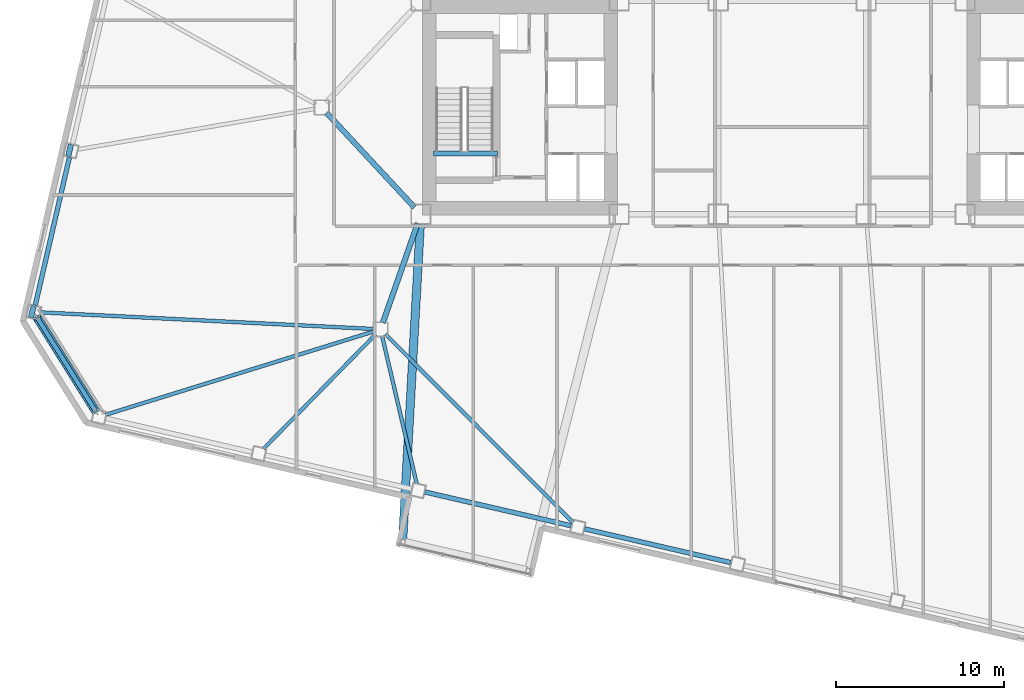
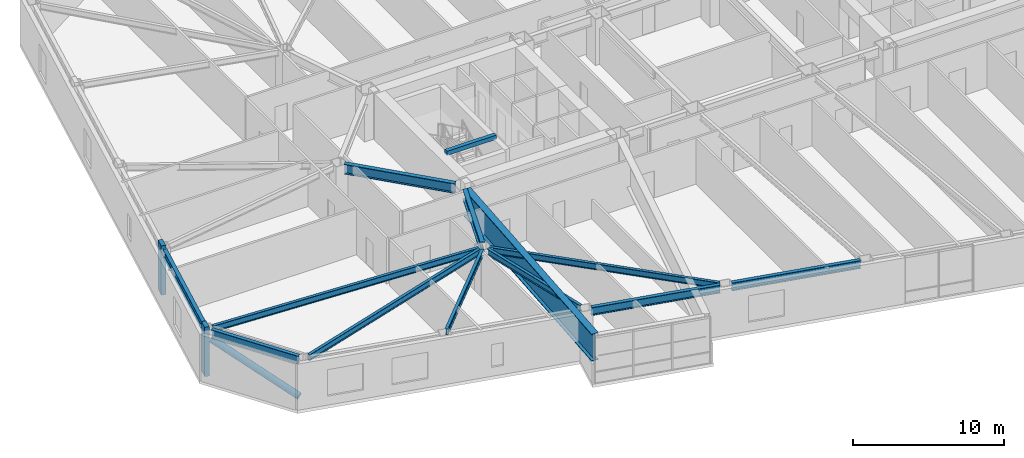
# One storey, part 4 of 21: 13 beams, 3 members.
"""IFC4 building model written with IfcOpenShell, lengths in metres."""

import ifcopenshell
import ifcopenshell.guid

model = None  # the IFC model being written
_history = None  # IfcOwnerHistory: only IFC2X3 demands one
_inside = {}  # id of a spatial element -> (the spatial element, [elements in it])
_under = {}  # id of a project, library or spatial element -> (it, [spatial elements below it])
_declared = {}  # id of a project -> (the project, [libraries it declares])
_typed = {}  # id of a type object -> (the type object, [elements of that type])
_made_of = {}  # id of a material, layer set ... -> (it, [elements and type objects made of it])


def new_model(schema):
    """Start an empty IFC model of exactly this schema.

    Asked for "IFC4X3", IfcOpenShell would pick the latest addendum, in which some entities
    have other attributes; the version numbers below select the first issue.
    IFC2X3 requires an IfcOwnerHistory on every rooted entity: one is made here for all.
    """
    global model, _history
    if schema == "IFC4X3":
        model = ifcopenshell.file(schema_version=(4, 3, 0, 0))
    else:
        model = ifcopenshell.file(schema=schema)
    _inside.clear()
    _under.clear()
    _declared.clear()
    _typed.clear()
    _made_of.clear()
    _history = None
    if model.schema == "IFC2X3":
        org = make("IfcOrganization", Name="unknown")
        user = make(
            "IfcPersonAndOrganization",
            ThePerson=make("IfcPerson", FamilyName="unknown"),
            TheOrganization=org,
        )
        app = make(
            "IfcApplication",
            ApplicationDeveloper=org,
            Version="unknown",
            ApplicationFullName="unknown",
            ApplicationIdentifier="unknown",
        )
        _history = make(
            "IfcOwnerHistory",
            OwningUser=user,
            OwningApplication=app,
            ChangeAction="ADDED",
            CreationDate=0,
        )
    return model


def make(cls, **values):
    """One entity of the class cls with the attributes given. An attribute that is None is left unset."""
    return model.create_entity(
        cls, **{name: value for name, value in values.items() if value is not None}
    )


def rooted(cls, **values):
    """An entity with a GlobalId (a new one), such as an element, a storey or a relation."""
    return make(cls, GlobalId=ifcopenshell.guid.new(), OwnerHistory=_history, **values)


def si_unit(unit_type, name, prefix=None):
    """IfcSIUnit, for example si_unit("LENGTHUNIT", "METRE", prefix="MILLI")."""
    return make("IfcSIUnit", UnitType=unit_type, Prefix=prefix, Name=name)


def assignment(units):
    """IfcUnitAssignment: the units of a project."""
    return None if units is None else make("IfcUnitAssignment", Units=units)


def point(xyz):
    """IfcCartesianPoint."""
    return None if xyz is None else make("IfcCartesianPoint", Coordinates=xyz)


def direction(xyz):
    """IfcDirection."""
    return None if xyz is None else make("IfcDirection", DirectionRatios=xyz)


def frame(location, z_axis=None, x_axis=None):
    """IfcAxis2Placement3D, a coordinate frame: its origin and axes. An axis left out is left unset."""
    return make(
        "IfcAxis2Placement3D",
        Location=point(location),
        Axis=direction(z_axis),
        RefDirection=direction(x_axis),
    )


def frame_2d(location, x_axis=None):
    """IfcAxis2Placement2D, a coordinate frame in the plane: its origin and x axis."""
    return make(
        "IfcAxis2Placement2D", Location=point(location), RefDirection=direction(x_axis)
    )


def origin():
    """The frame at (0, 0, 0) with its axes left unset."""
    return frame((0.0, 0.0, 0.0))


def origin_2d():
    """The frame at (0, 0) in the plane with its x axis left unset."""
    return frame_2d((0.0, 0.0))


def place(relative_to, where):
    """IfcLocalPlacement: puts the frame where relative to a parent placement (None: the world)."""
    return make(
        "IfcLocalPlacement", PlacementRelTo=relative_to, RelativePlacement=where
    )


def context(
    kind, dimensions, precision=None, world=None, true_north=None, identifier=None
):
    """IfcGeometricRepresentationContext, for example the 3D "Model" context."""
    return make(
        "IfcGeometricRepresentationContext",
        ContextIdentifier=identifier,
        ContextType=kind,
        CoordinateSpaceDimension=dimensions,
        Precision=precision,
        WorldCoordinateSystem=world,
        TrueNorth=true_north,
    )


def subcontext(parent, identifier, kind, view, scale=None):
    """IfcGeometricRepresentationSubContext, for example "Body" below "Model"."""
    return make(
        "IfcGeometricRepresentationSubContext",
        ContextIdentifier=identifier,
        ContextType=kind,
        ParentContext=parent,
        TargetScale=scale,
        TargetView=view,
    )


def project(units=None, contexts=None):
    """IfcProject with its units and contexts."""
    return rooted(
        "IfcProject",
        Name="project",
        RepresentationContexts=contexts,
        UnitsInContext=assignment(units),
    )


def spatial(cls, under=None, at=None, **own):
    """A site, building, storey or space (cls), placed at a placement, below another one or the project."""
    s = rooted(cls, ObjectPlacement=at, **own)
    if under is not None:
        _under.setdefault(under.id(), (under, []))[1].append(s)
    return s


def profile(cls, at=None, kind="AREA", **sizes):
    """A parametric profile (cls). Its sizes go by their IFC names, for example OverallWidth=200.0."""
    return make(cls, ProfileType=kind, Position=at, **sizes)


def rectangle(**sizes):
    """IfcRectangleProfileDef."""
    return profile("IfcRectangleProfileDef", **sizes)


def hollow_circle(**sizes):
    """IfcCircleHollowProfileDef."""
    return profile("IfcCircleHollowProfileDef", **sizes)


def i_section(**sizes):
    """IfcIShapeProfileDef."""
    return profile("IfcIShapeProfileDef", **sizes)


def extrude(swept, where, along, depth):
    """IfcExtrudedAreaSolid: the profile swept, set in the frame where, extruded along a direction by depth."""
    return make(
        "IfcExtrudedAreaSolid",
        SweptArea=swept,
        Position=where,
        ExtrudedDirection=direction(along),
        Depth=depth,
    )


def shape(context_of_items, identifier, shape_type, items):
    """IfcShapeRepresentation: the items that make up one representation, for example the "Body"."""
    return make(
        "IfcShapeRepresentation",
        ContextOfItems=context_of_items,
        RepresentationIdentifier=identifier,
        RepresentationType=shape_type,
        Items=items,
    )


def material(Name=None, Category=None):
    """IfcMaterial."""
    return make("IfcMaterial", Name=Name, Category=Category)


def material_profile(
    of_material, cross_section, Name=None, Category=None, Priority=None
):
    """IfcMaterialProfile: a cross section and its material."""
    return make(
        "IfcMaterialProfile",
        Name=Name,
        Material=of_material,
        Profile=cross_section,
        Priority=Priority,
        Category=Category,
    )


def profile_set(profiles, Name=None, composite=None):
    """IfcMaterialProfileSet."""
    return make(
        "IfcMaterialProfileSet",
        Name=Name,
        MaterialProfiles=profiles,
        CompositeProfile=composite,
    )


def made_of(thing, what):
    """Note that an element or type object is made of a material, layer set ...; save() writes the relation."""
    if what is not None:
        _made_of.setdefault(what.id(), (what, []))[1].append(thing)
    return thing


def type_object(cls, material=None, **own):
    """A type object (cls), such as IfcWallType, which elements share."""
    return made_of(rooted(cls, **own), material)


def element(
    cls,
    number,
    at=None,
    inside=None,
    cuts=None,
    type_object=None,
    material=None,
    context=None,
    identifier="Body",
    shape_type=None,
    held_by="IfcProductDefinitionShape",
    body=None,
    shapes=None,
    **own,
):
    """One element of the class cls, such as IfcWall. Its Tag is "e" and its number.

    at: its placement. inside: the storey or other place that contains it. cuts: it is an
    opening in that element (IfcRelVoidsElement). A single representation is given by context,
    identifier, shape_type and body (its items); several are given by shapes. held_by: the class
    of the entity that holds the representations. save() writes the other relations.
    """
    e = rooted(cls, Tag="e%d" % number, ObjectPlacement=at, **own)
    if body is not None:
        shapes = [shape(context, identifier, shape_type, body)]
    if shapes is not None:
        e.Representation = make(held_by, Representations=shapes)
    if inside is not None:
        _inside.setdefault(inside.id(), (inside, []))[1].append(e)
    if cuts is not None:
        rooted(
            "IfcRelVoidsElement", RelatingBuildingElement=cuts, RelatedOpeningElement=e
        )
    if type_object is not None:
        _typed.setdefault(type_object.id(), (type_object, []))[1].append(e)
    return made_of(e, material)


def aggregate(whole, parts):
    """IfcRelAggregates: a whole, such as a stair, and the parts it consists of."""
    return rooted("IfcRelAggregates", RelatingObject=whole, RelatedObjects=parts)


def save(model, path):
    """Write the relations noted so far, then the file.

    IfcRelAggregates (storeys below a building ...), IfcRelContainedInSpatialStructure (elements
    in a storey), IfcRelDefinesByType, IfcRelAssociatesMaterial and IfcRelDeclares: one each for
    every whole, place, type object, material and project.
    """
    for whole, parts in _under.values():
        aggregate(whole, parts)
    for where, things in _inside.values():
        rooted(
            "IfcRelContainedInSpatialStructure",
            RelatedElements=things,
            RelatingStructure=where,
        )
    for kind, things in _typed.values():
        rooted("IfcRelDefinesByType", RelatedObjects=things, RelatingType=kind)
    for what, things in _made_of.values():
        rooted("IfcRelAssociatesMaterial", RelatedObjects=things, RelatingMaterial=what)
    for by, libraries in _declared.values():
        rooted("IfcRelDeclares", RelatingContext=by, RelatedDefinitions=libraries)
    model.write(path)


model = new_model("IFC4")

# Units and contexts
model_context = context("Model", 3, precision=1e-05, world=origin(), true_north=direction((0.0, 1.0)))
body_context = subcontext(model_context, "Body", "Model", "MODEL_VIEW")
ifc_project = project(units=[si_unit("LENGTHUNIT", "METRE"), si_unit("AREAUNIT", "SQUARE_METRE"), si_unit("VOLUMEUNIT", "CUBIC_METRE"), si_unit("PLANEANGLEUNIT", "RADIAN"), si_unit("MASSUNIT", "GRAM", prefix="KILO")], contexts=[model_context])

# Site, building, storey
site_placement = place(None, origin())
site = spatial("IfcSite", under=ifc_project, at=site_placement, CompositionType="ELEMENT")
building_placement = place(site_placement, origin())
building = spatial("IfcBuilding", under=site, at=building_placement, Name="Tavrogorsk Clinical Tower", CompositionType="ELEMENT")
storey_placement = place(building_placement, frame((0.0, 0.0, 43.39990234375)))
storey = spatial("IfcBuildingStorey", under=building, at=storey_placement, Name="L08", CompositionType="ELEMENT", Elevation=43.39990234375)

# Member
ifc_material_1 = material(Name="Structural steel S440", Category="steel")
ifc_material_profile_1 = material_profile(ifc_material_1, hollow_circle(Radius=0.25390625, WallThickness=0.02001953125, at=origin_2d()), Name="CHS-508x20")
ifc_profile_set_1 = profile_set([ifc_material_profile_1], Name="Structural steel S440")
member_type_1 = type_object("IfcMemberType", Name="ExoBrace_CHS508", PredefinedType="BRACE", material=ifc_profile_set_1)
member_placement = place(storey_placement, frame((-41.453857421875, -18.081787109375, 0.442626953125), z_axis=(-0.496582474856, 0.794677778576, 0.349131886118), x_axis=(-0.84804201203, -0.529929000746, 0.0)))
element("IfcMember", 1, at=member_placement, inside=storey, type_object=member_type_1, Name="L08 Corner Exoskeleton Brace W5-S1", PredefinedType="BRACE", context=body_context, shape_type="SweptSolid", body=[
    extrude(hollow_circle(Radius=0.25390625, WallThickness=0.02001953125, at=origin_2d()), origin(), (0.0, 0.0, 1.0), 7.031982421875),
])

# Beams
ifc_material_2 = material(Name="Structural steel S355", Category="steel")
ifc_material_profile_2 = material_profile(ifc_material_2, i_section(OverallWidth=0.219970703125, OverallDepth=0.5, WebThickness=0.012939453125, FlangeThickness=0.02001953125, at=origin_2d()), Name="B-500x220x13x20")
ifc_profile_set_2 = profile_set([ifc_material_profile_2], Name="Structural steel S355")
beam_type_1 = type_object("IfcBeamType", Name="FloorBeam_B500", PredefinedType="BEAM", material=ifc_profile_set_2)
beam_1_placement = place(storey_placement, frame((-24.8916015625, -13.32177734375, 3.489990234375), z_axis=(-0.954946638684, -0.296777555193, 0.0), x_axis=(0.296777555193, -0.954946638684, 0.0)))
element("IfcBeam", 2, at=beam_1_placement, inside=storey, type_object=beam_type_1, Name="L08 Radial Floor Beam S1", PredefinedType="BEAM", context=body_context, shape_type="SweptSolid", body=[
    extrude(i_section(OverallWidth=0.219970703125, OverallDepth=0.5, WebThickness=0.012939453125, FlangeThickness=0.02001953125, at=origin_2d()), origin(), (0.0, 0.0, 1.0), 16.723388671875),
])
beam_2_placement = place(storey_placement, frame((-24.787109375, -13.492919921875, 3.489990234375), z_axis=(-0.699997226081, -0.714145561828, 0.0), x_axis=(0.714145561828, -0.699997226081, 0.0)))
element("IfcBeam", 3, at=beam_2_placement, inside=storey, type_object=beam_type_1, Name="L08 Radial Floor Beam S2", PredefinedType="BEAM", context=body_context, shape_type="SweptSolid", body=[
    extrude(i_section(OverallWidth=0.219970703125, OverallDepth=0.5, WebThickness=0.012939453125, FlangeThickness=0.02001953125, at=origin_2d()), origin(), (0.0, 0.0, 1.0), 9.54248046875),
])
beam_3_placement = place(storey_placement, frame((-24.406494140625, -13.59912109375, 3.489990234375), z_axis=(0.227996771429, -0.973661888038, 0.0), x_axis=(0.973661888038, 0.227996771429, 0.0)))
element("IfcBeam", 4, at=beam_3_placement, inside=storey, type_object=beam_type_1, Name="L08 Radial Floor Beam S3", PredefinedType="BEAM", context=body_context, shape_type="SweptSolid", body=[
    extrude(i_section(OverallWidth=0.219970703125, OverallDepth=0.5, WebThickness=0.012939453125, FlangeThickness=0.02001953125, at=origin_2d()), origin(), (0.0, 0.0, 1.0), 9.033447265625),
])
beam_4_placement = place(storey_placement, frame((-24.210693359375, -13.490478515625, 3.489990234375), z_axis=(0.705909757155, -0.70830178226, 0.0), x_axis=(0.70830178226, 0.705909757155, 0.0)))
element("IfcBeam", 5, at=beam_4_placement, inside=storey, type_object=beam_type_1, Name="L08 Radial Floor Beam S4", PredefinedType="BEAM", context=body_context, shape_type="SweptSolid", body=[
    extrude(i_section(OverallWidth=0.219970703125, OverallDepth=0.5, WebThickness=0.012939453125, FlangeThickness=0.02001953125, at=origin_2d()), origin(), (0.0, 0.0, 1.0), 15.820068359375),
])
beam_5_placement = place(storey_placement, frame((-24.909423828125, -13.179443359375, 3.489990234375), z_axis=(-0.998757515428, 0.049833978136, 0.0), x_axis=(-0.049833978136, -0.998757515428, 0.0)))
element("IfcBeam", 6, at=beam_5_placement, inside=storey, type_object=beam_type_1, Name="L08 Radial Floor Beam W5", PredefinedType="BEAM", context=body_context, shape_type="SweptSolid", body=[
    extrude(i_section(OverallWidth=0.219970703125, OverallDepth=0.5, WebThickness=0.012939453125, FlangeThickness=0.02001953125, at=origin_2d()), origin(), (0.0, 0.0, 1.0), 19.85595703125),
])

# Members
ifc_material_3 = material(Name="Precast concrete B45 with limestone cladding", Category="masonry")
ifc_material_profile_3 = material_profile(ifc_material_3, rectangle(XDim=0.320068359375, YDim=0.719970703125, at=origin_2d()), Name="LIMESTONE-FIN-320x720")
ifc_profile_set_3 = profile_set([ifc_material_profile_3], Name="Precast concrete B45 with limestone cladding")
member_type_2 = type_object("IfcMemberType", Name="LimestonePleatFin_320x720", PredefinedType="USERDEFINED", material=ifc_profile_set_3)
for number, where, z_axis, x_axis, name in (
    (7, (-43.008056640625, -2.544189453125, 0.0), (0.0, 0.0, 1.0), (0.974370064785, -0.224951054344, 0.0), "L08 W Pleated Stone Fin 3"),
    (8, (-45.226318359375, -12.151611328125, 0.0), (0.0, 0.0, 1.0), (0.974370064785, -0.224951054344, 0.0), "L08 W Pleated Stone Fin 4"),
):
    element("IfcMember", number, at=place(storey_placement, frame(where, z_axis=z_axis, x_axis=x_axis)), inside=storey, type_object=member_type_2, Name=name, ObjectType="FIN", PredefinedType="USERDEFINED", context=body_context, shape_type="SweptSolid", body=[
        extrude(rectangle(XDim=0.320068359375, YDim=0.719970703125, at=origin_2d()), origin(), (0.0, 0.0, 1.0), 4.0),
    ])

# Beams
ifc_material_4 = material(Name="Structural steel S390", Category="steel")
ifc_material_profile_4 = material_profile(ifc_material_4, i_section(OverallWidth=0.320068359375, OverallDepth=0.800048828125, WebThickness=0.02001953125, FlangeThickness=0.033935546875, at=origin_2d()), Name="B-800x320x20x34")
ifc_profile_set_4 = profile_set([ifc_material_profile_4], Name="Structural steel S390")
beam_type_2 = type_object("IfcBeamType", Name="PrimaryGirder_B800", PredefinedType="USERDEFINED", material=ifc_profile_set_4)
beam_6_placement = place(storey_placement, frame((-24.364501953125, -12.81298828125, 3.340087890625), z_axis=(0.330668611543, 0.943746930771, 0.0), x_axis=(-0.943746930771, 0.330668611543, 0.0)))
element("IfcBeam", 9, at=beam_6_placement, inside=storey, type_object=beam_type_2, Name="L08 Spine Link Girder OPG-1", ObjectType="GIRDER", PredefinedType="USERDEFINED", context=body_context, shape_type="SweptSolid", body=[
    extrude(i_section(OverallWidth=0.320068359375, OverallDepth=0.800048828125, WebThickness=0.02001953125, FlangeThickness=0.033935546875, at=origin_2d()), origin(), (0.0, 0.0, 1.0), 6.288330078125),
])
beam_7_placement = place(storey_placement, frame((-27.720947265625, -0.30029296875, 3.340087890625), z_axis=(0.680671250221, -0.732589004233, 0.0), x_axis=(0.732589004233, 0.680671250221, 0.0)))
element("IfcBeam", 10, at=beam_7_placement, inside=storey, type_object=beam_type_2, Name="L08 Spine Link Girder OPG-5", ObjectType="GIRDER", PredefinedType="USERDEFINED", context=body_context, shape_type="SweptSolid", body=[
    extrude(i_section(OverallWidth=0.320068359375, OverallDepth=0.800048828125, WebThickness=0.02001953125, FlangeThickness=0.033935546875, at=origin_2d()), origin(), (0.0, 0.0, 1.0), 7.697998046875),
])
ifc_material_5 = material(Name="Structural steel S390", Category="steel")
ifc_material_profile_5 = material_profile(ifc_material_5, i_section(OverallWidth=0.280029296875, OverallDepth=0.64990234375, WebThickness=0.01611328125, FlangeThickness=0.02490234375, at=origin_2d()), Name="B-650x280x16x25")
ifc_profile_set_5 = profile_set([ifc_material_profile_5], Name="Structural steel S390")
beam_type_3 = type_object("IfcBeamType", Name="SpandrelBeam_B650", PredefinedType="SPANDREL", material=ifc_profile_set_5)
for number, where, z_axis, x_axis, name in (
    (11, (-21.8564453125, -22.8837890625, 3.4150390625), (0.974372766602, -0.224939351168, 0.0), (0.224939351168, 0.974372766602, 0.0), "L08 Perimeter Spandrel S3-S4"),
    (12, (-12.357666015625, -25.07666015625, 3.4150390625), (0.974372766602, -0.224939351168, 0.0), (0.224939351168, 0.974372766602, 0.0), "L08 Perimeter Spandrel S4-S5"),
):
    element("IfcBeam", number, at=place(storey_placement, frame(where, z_axis=z_axis, x_axis=x_axis)), inside=storey, type_object=beam_type_3, Name=name, PredefinedType="SPANDREL", context=body_context, shape_type="SweptSolid", body=[
        extrude(i_section(OverallWidth=0.280029296875, OverallDepth=0.64990234375, WebThickness=0.01611328125, FlangeThickness=0.02490234375, at=origin_2d()), origin(), (0.0, 0.0, 1.0), 8.9326171875),
    ])
beam_8_placement = place(storey_placement, frame((-43.02197265625, -2.959716796875, 3.4150390625), z_axis=(-0.224971881043, -0.974365256328, 0.0), x_axis=(0.974365256328, -0.224971881043, 0.0)))
element("IfcBeam", 13, at=beam_8_placement, inside=storey, type_object=beam_type_3, Name="L08 Perimeter Spandrel W4-W5", PredefinedType="SPANDREL", context=body_context, shape_type="SweptSolid", body=[
    extrude(i_section(OverallWidth=0.280029296875, OverallDepth=0.64990234375, WebThickness=0.01611328125, FlangeThickness=0.02490234375, at=origin_2d()), origin(), (0.0, 0.0, 1.0), 9.044189453125),
])
beam_9_placement = place(storey_placement, frame((-44.93212890625, -12.515380859375, 3.4150390625), z_axis=(0.529908311255, -0.848054940238, 0.0), x_axis=(0.848054940238, 0.529908311255, 0.0)))
element("IfcBeam", 14, at=beam_9_placement, inside=storey, type_object=beam_type_3, Name="L08 Perimeter Spandrel W5-S1", PredefinedType="SPANDREL", context=body_context, shape_type="SweptSolid", body=[
    extrude(i_section(OverallWidth=0.280029296875, OverallDepth=0.64990234375, WebThickness=0.01611328125, FlangeThickness=0.02490234375, at=origin_2d()), origin(), (0.0, 0.0, 1.0), 6.5380859375),
])
ifc_material_6 = material(Name="Concrete B60", Category="concrete")
ifc_material_profile_6 = material_profile(ifc_material_6, rectangle(XDim=0.300048828125, YDim=0.35009765625, at=origin_2d()), Name="RC-SHB-300x350")
ifc_profile_set_6 = profile_set([ifc_material_profile_6], Name="Concrete B60")
beam_type_4 = type_object("IfcBeamType", Name="StairHeaderBeam_RC300x350", PredefinedType="BEAM", material=ifc_profile_set_6)
beam_10_placement = place(storey_placement, frame((-21.35009765625, -2.719970703125, 3.8251953125), z_axis=(1.0, 0.0, 0.0), x_axis=(0.0, 1.0, 0.0)))
element("IfcBeam", 15, at=beam_10_placement, inside=storey, type_object=beam_type_4, Name="L09 ST-W Landing Header Beam", PredefinedType="BEAM", context=body_context, shape_type="SweptSolid", body=[
    extrude(rectangle(XDim=0.300048828125, YDim=0.35009765625, at=origin_2d()), origin(), (0.0, 0.0, 1.0), 3.800048828125),
])
ifc_material_7 = material(Name="Structural steel S440", Category="steel")
ifc_material_profile_7 = material_profile(ifc_material_7, i_section(OverallWidth=0.5, OverallDepth=2.199951171875, WebThickness=0.035888671875, FlangeThickness=0.054931640625, at=origin_2d()), Name="DK-2200x500x36x55")
ifc_profile_set_7 = profile_set([ifc_material_profile_7], Name="Structural steel S440")
beam_type_5 = type_object("IfcBeamType", Name="TransferGirder_DK2200", PredefinedType="USERDEFINED", material=ifc_profile_set_7)
beam_11_placement = place(storey_placement, frame((-22.13134765625, -6.9091796875, 2.64013671875), z_axis=(-0.05586015232, -0.998438602711, 0.0), x_axis=(0.998438602711, -0.05586015232, 0.0)))
element("IfcBeam", 16, at=beam_11_placement, inside=storey, type_object=beam_type_5, Name="L08 Day-Room Cantilever Beam DRB-01-L", ObjectType="GIRDER", PredefinedType="USERDEFINED", context=body_context, shape_type="SweptSolid", body=[
    extrude(i_section(OverallWidth=0.5, OverallDepth=2.199951171875, WebThickness=0.035888671875, FlangeThickness=0.054931640625, at=origin_2d()), origin(), (0.0, 0.0, 1.0), 18.819580078125),
])

save(model, "model.ifc")
